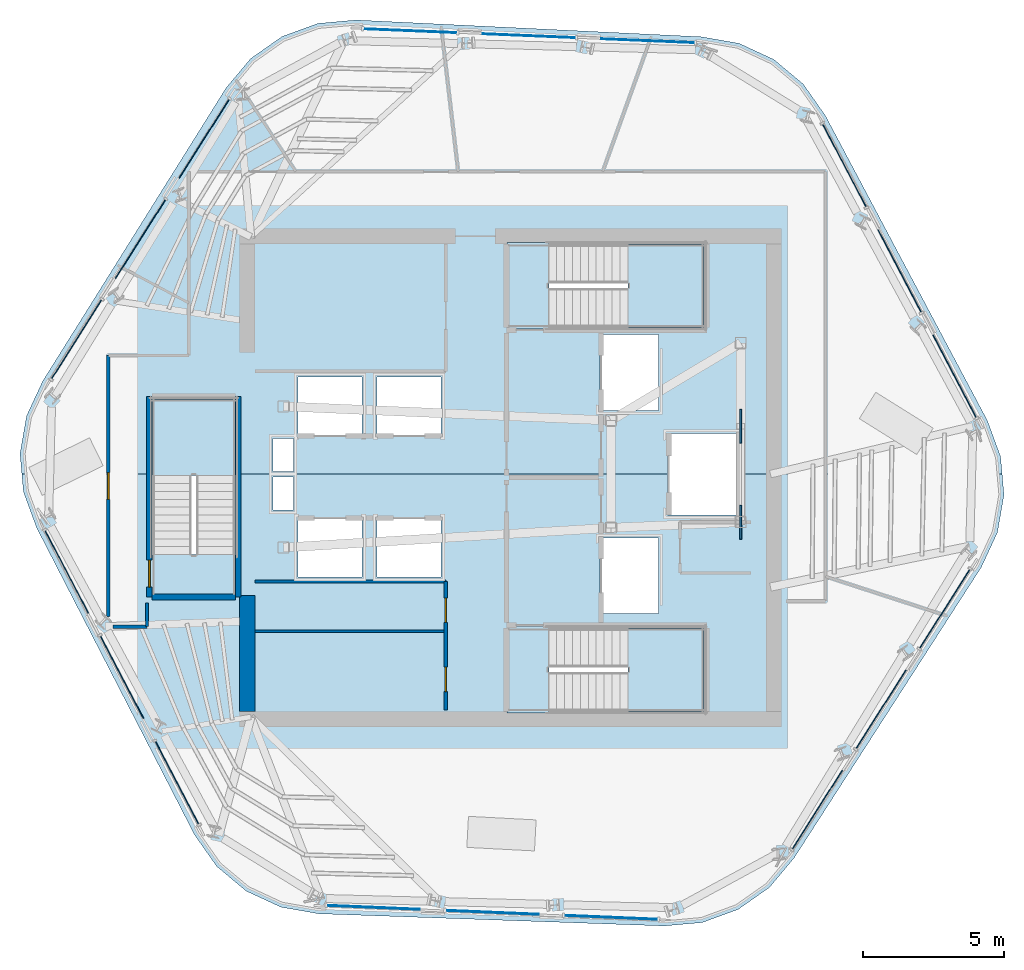
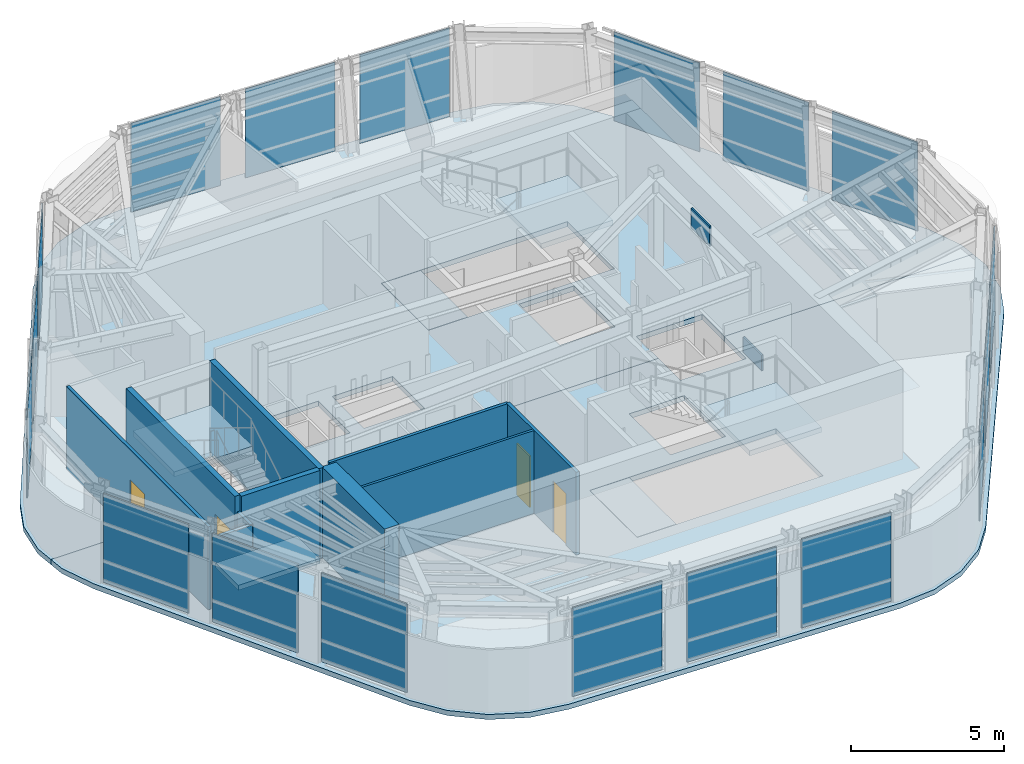
# One storey, part 6 of 13: 20 plates, 10 walls, 8 slabs, 4 doors, 4 openings, 9 elements without a shape of their own.
"""IFC4 building model written with IfcOpenShell, lengths in metres."""

from ifc_helpers import new_model, si_unit, direction, frame, frame_2d, origin, origin_2d, place, context, subcontext, project, spatial, polyline, rectangle, outline, extrude, material, layer, layer_set, type_object, element, fill, aggregate, save


model = new_model("IFC4")

# Units and contexts
model_context = context("Model", 3, precision=1e-05, world=origin(), true_north=direction((0.0, 1.0)))
body_context = subcontext(model_context, "Body", "Model", "MODEL_VIEW")
ifc_project = project(units=[si_unit("LENGTHUNIT", "METRE"), si_unit("AREAUNIT", "SQUARE_METRE"), si_unit("VOLUMEUNIT", "CUBIC_METRE"), si_unit("PLANEANGLEUNIT", "RADIAN"), si_unit("MASSUNIT", "GRAM", prefix="KILO")], contexts=[model_context])

# Site, building, storey
site_placement = place(None, origin())
site = spatial("IfcSite", under=ifc_project, at=site_placement, CompositionType="ELEMENT")
building_placement = place(site_placement, origin())
building = spatial("IfcBuilding", under=site, at=building_placement, Name="Valkerne Bourse Tower", CompositionType="ELEMENT")
storey_placement = place(building_placement, frame((0.0, 0.0, 273.60009765625)))
storey = spatial("IfcBuildingStorey", under=building, at=storey_placement, Name="L69", CompositionType="ELEMENT", Elevation=273.60009765625)

# Curtain wall, plates
ifc_material_1 = material(Name="Aluminium AA 6063-T6", Category="aluminium")
ifc_layer_1 = layer(ifc_material_1, 0.2451171875)
ifc_layer_set_1 = layer_set([ifc_layer_1], Name="Aluminium AA 6063-T6")
curtain_wall_type = type_object("IfcCurtainWallType", Name="CW-05", PredefinedType="NOTDEFINED", material=ifc_layer_set_1)
curtain_wall_1_placement = place(storey_placement, origin())
curtain_wall_1 = element("IfcCurtainWall", 1, at=curtain_wall_1_placement, inside=storey, type_object=curtain_wall_type, Name="L69 Hexagonal Stick Curtain Wall Face 1", PredefinedType="NOTDEFINED")
ifc_material_2 = material(Name="Glass IGU Low-E Double Glazed", Category="glass")
ifc_layer_2 = layer(ifc_material_2, 0.031982421875)
ifc_layer_set_2 = layer_set([ifc_layer_2], Name="Glass IGU Low-E Double Glazed")
plate_type_1 = type_object("IfcPlateType", Name="CW-PNL-IGU-32", PredefinedType="CURTAIN_PANEL", material=ifc_layer_set_2)
plate_1_placement = place(storey_placement, frame((51.658935546875, 42.3486328125, 0.02978515625), z_axis=(0.0, 0.0, 1.0), x_axis=(-0.999122631709, 0.041880386903, 0.0)))
plate_1 = element("IfcPlate", 2, at=plate_1_placement, type_object=plate_type_1, Name="CW-L69-F1 Curtain Panel 00", PredefinedType="CURTAIN_PANEL", context=body_context, shape_type="SweptSolid", body=[
    extrude(rectangle(XDim=3.2919921875, YDim=0.031982421875, at=origin_2d()), origin(), (0.0, 0.0, 1.0), 3.5400390625),
])
plate_2_placement = place(storey_placement, frame((47.45068359375, 42.525146484375, 0.02978515625), z_axis=(0.0, 0.0, 1.0), x_axis=(-0.999122631709, 0.041880386903, 0.0)))
plate_2 = element("IfcPlate", 3, at=plate_2_placement, type_object=plate_type_1, Name="CW-L69-F1 Curtain Panel 01", PredefinedType="CURTAIN_PANEL", context=body_context, shape_type="SweptSolid", body=[
    extrude(rectangle(XDim=3.2919921875, YDim=0.031982421875, at=origin_2d()), origin(), (0.0, 0.0, 1.0), 3.5400390625),
])
plate_3_placement = place(storey_placement, frame((43.242431640625, 42.701416015625, 0.02978515625), z_axis=(0.0, 0.0, 1.0), x_axis=(-0.999122631709, 0.041880386903, 0.0)))
plate_3 = element("IfcPlate", 4, at=plate_3_placement, type_object=plate_type_1, Name="CW-L69-F1 Curtain Panel 02", PredefinedType="CURTAIN_PANEL", context=body_context, shape_type="SweptSolid", body=[
    extrude(rectangle(XDim=3.2919921875, YDim=0.031982421875, at=origin_2d()), origin(), (0.0, 0.0, 1.0), 3.5400390625),
])
aggregate(curtain_wall_1, [plate_1, plate_2, plate_3])

curtain_wall_2_placement = place(storey_placement, origin())
curtain_wall_2 = element("IfcCurtainWall", 5, at=curtain_wall_2_placement, inside=storey, type_object=curtain_wall_type, Name="L69 Hexagonal Stick Curtain Wall Face 2", PredefinedType="NOTDEFINED")
plate_4_placement = place(storey_placement, frame((35.93701171875, 38.88232421875, 0.02978515625), z_axis=(0.0, 0.0, 1.0), x_axis=(-0.535816628188, -0.844334377458, 0.0)))
plate_4 = element("IfcPlate", 6, at=plate_4_placement, type_object=plate_type_1, Name="CW-L69-F2 Curtain Panel 00", PredefinedType="CURTAIN_PANEL", context=body_context, shape_type="SweptSolid", body=[
    extrude(rectangle(XDim=3.2919921875, YDim=0.031982421875, at=origin_2d()), origin(), (0.0, 0.0, 1.0), 3.5400390625),
])
plate_5_placement = place(storey_placement, frame((33.68017578125, 35.326171875, 0.02978515625), z_axis=(0.0, 0.0, 1.0), x_axis=(-0.535827369105, -0.84432756115, 0.0)))
plate_5 = element("IfcPlate", 7, at=plate_5_placement, type_object=plate_type_1, Name="CW-L69-F2 Curtain Panel 01", PredefinedType="CURTAIN_PANEL", context=body_context, shape_type="SweptSolid", body=[
    extrude(rectangle(XDim=3.2919921875, YDim=0.031982421875, at=origin_2d()), origin(), (0.0, 0.0, 1.0), 3.5400390625),
])
plate_6_placement = place(storey_placement, frame((31.42333984375, 31.769775390625, 0.02978515625), z_axis=(0.0, 0.0, 1.0), x_axis=(-0.535827369105, -0.84432756115, 0.0)))
plate_6 = element("IfcPlate", 8, at=plate_6_placement, type_object=plate_type_1, Name="CW-L69-F2 Curtain Panel 02", PredefinedType="CURTAIN_PANEL", context=body_context, shape_type="SweptSolid", body=[
    extrude(rectangle(XDim=3.2919921875, YDim=0.031982421875, at=origin_2d()), origin(), (0.0, 0.0, 1.0), 3.5400390625),
])
aggregate(curtain_wall_2, [plate_4, plate_5, plate_6])

curtain_wall_3_placement = place(storey_placement, origin())
curtain_wall_3 = element("IfcCurtainWall", 9, at=curtain_wall_3_placement, inside=storey, type_object=curtain_wall_type, Name="L69 Hexagonal Stick Curtain Wall Face 3", PredefinedType="NOTDEFINED")
plate_7_placement = place(storey_placement, frame((31.078125, 23.53369140625, 0.02978515625), z_axis=(0.0, 0.0, 1.0), x_axis=(0.463294468527, -0.886204398225, 0.0)))
plate_7 = element("IfcPlate", 10, at=plate_7_placement, type_object=plate_type_1, Name="CW-L69-F3 Curtain Panel 00", PredefinedType="CURTAIN_PANEL", context=body_context, shape_type="SweptSolid", body=[
    extrude(rectangle(XDim=3.2919921875, YDim=0.031982421875, at=origin_2d()), origin(), (0.0, 0.0, 1.0), 3.5400390625),
])
plate_8_placement = place(storey_placement, frame((33.029541015625, 19.801025390625, 0.02978515625), z_axis=(0.0, 0.0, 1.0), x_axis=(0.463294468527, -0.886204398225, 0.0)))
plate_8 = element("IfcPlate", 11, at=plate_8_placement, type_object=plate_type_1, Name="CW-L69-F3 Curtain Panel 01", PredefinedType="CURTAIN_PANEL", context=body_context, shape_type="SweptSolid", body=[
    extrude(rectangle(XDim=3.2919921875, YDim=0.031982421875, at=origin_2d()), origin(), (0.0, 0.0, 1.0), 3.5400390625),
])
plate_9_placement = place(storey_placement, frame((34.98095703125, 16.068115234375, 0.02978515625), z_axis=(0.0, 0.0, 1.0), x_axis=(0.463294468527, -0.886204398225, 0.0)))
plate_9 = element("IfcPlate", 12, at=plate_9_placement, type_object=plate_type_1, Name="CW-L69-F3 Curtain Panel 02", PredefinedType="CURTAIN_PANEL", context=body_context, shape_type="SweptSolid", body=[
    extrude(rectangle(XDim=3.2919921875, YDim=0.031982421875, at=origin_2d()), origin(), (0.0, 0.0, 1.0), 3.5400390625),
])
aggregate(curtain_wall_3, [plate_7, plate_8, plate_9])

curtain_wall_4_placement = place(storey_placement, origin())
curtain_wall_4 = element("IfcCurtainWall", 13, at=curtain_wall_4_placement, inside=storey, type_object=curtain_wall_type, Name="L69 Hexagonal Stick Curtain Wall Face 4", PredefinedType="NOTDEFINED")
plate_10_placement = place(storey_placement, frame((41.94091796875, 11.6513671875, 0.02978515625), z_axis=(0.0, 0.0, 1.0), x_axis=(0.999122631709, -0.041880386903, 0.0)))
plate_10 = element("IfcPlate", 14, at=plate_10_placement, type_object=plate_type_1, Name="CW-L69-F4 Curtain Panel 00", PredefinedType="CURTAIN_PANEL", context=body_context, shape_type="SweptSolid", body=[
    extrude(rectangle(XDim=3.2919921875, YDim=0.031982421875, at=origin_2d()), origin(), (0.0, 0.0, 1.0), 3.5400390625),
])
plate_11_placement = place(storey_placement, frame((46.1494140625, 11.474853515625, 0.02978515625), z_axis=(0.0, 0.0, 1.0), x_axis=(0.999122631709, -0.041880386903, 0.0)))
plate_11 = element("IfcPlate", 15, at=plate_11_placement, type_object=plate_type_1, Name="CW-L69-F4 Curtain Panel 01", PredefinedType="CURTAIN_PANEL", context=body_context, shape_type="SweptSolid", body=[
    extrude(rectangle(XDim=3.2919921875, YDim=0.031982421875, at=origin_2d()), origin(), (0.0, 0.0, 1.0), 3.5400390625),
])
plate_12_placement = place(storey_placement, frame((50.357666015625, 11.298583984375, 0.02978515625), z_axis=(0.0, 0.0, 1.0), x_axis=(0.999122631709, -0.041880386903, 0.0)))
plate_12 = element("IfcPlate", 16, at=plate_12_placement, type_object=plate_type_1, Name="CW-L69-F4 Curtain Panel 02", PredefinedType="CURTAIN_PANEL", context=body_context, shape_type="SweptSolid", body=[
    extrude(rectangle(XDim=3.2919921875, YDim=0.031982421875, at=origin_2d()), origin(), (0.0, 0.0, 1.0), 3.5400390625),
])
aggregate(curtain_wall_4, [plate_10, plate_11, plate_12])

curtain_wall_5_placement = place(storey_placement, origin())
curtain_wall_5 = element("IfcCurtainWall", 17, at=curtain_wall_5_placement, inside=storey, type_object=curtain_wall_type, Name="L69 Hexagonal Stick Curtain Wall Face 5", PredefinedType="NOTDEFINED")
plate_13_placement = place(storey_placement, frame((57.662841796875, 15.11767578125, 0.02978515625), z_axis=(0.0, 0.0, 1.0), x_axis=(0.535816628188, 0.844334377458, 0.0)))
plate_13 = element("IfcPlate", 18, at=plate_13_placement, type_object=plate_type_1, Name="CW-L69-F5 Curtain Panel 00", PredefinedType="CURTAIN_PANEL", context=body_context, shape_type="SweptSolid", body=[
    extrude(rectangle(XDim=3.2919921875, YDim=0.031982421875, at=origin_2d()), origin(), (0.0, 0.0, 1.0), 3.5400390625),
])
plate_14_placement = place(storey_placement, frame((59.919921875, 18.673828125, 0.02978515625), z_axis=(0.0, 0.0, 1.0), x_axis=(0.535827369105, 0.84432756115, 0.0)))
plate_14 = element("IfcPlate", 19, at=plate_14_placement, type_object=plate_type_1, Name="CW-L69-F5 Curtain Panel 01", PredefinedType="CURTAIN_PANEL", context=body_context, shape_type="SweptSolid", body=[
    extrude(rectangle(XDim=3.2919921875, YDim=0.031982421875, at=origin_2d()), origin(), (0.0, 0.0, 1.0), 3.5400390625),
])
plate_15_placement = place(storey_placement, frame((62.1767578125, 22.230224609375, 0.02978515625), z_axis=(0.0, 0.0, 1.0), x_axis=(0.535827369105, 0.84432756115, 0.0)))
plate_15 = element("IfcPlate", 20, at=plate_15_placement, type_object=plate_type_1, Name="CW-L69-F5 Curtain Panel 02", PredefinedType="CURTAIN_PANEL", context=body_context, shape_type="SweptSolid", body=[
    extrude(rectangle(XDim=3.2919921875, YDim=0.031982421875, at=origin_2d()), origin(), (0.0, 0.0, 1.0), 3.5400390625),
])
aggregate(curtain_wall_5, [plate_13, plate_14, plate_15])

curtain_wall_6_placement = place(storey_placement, origin())
curtain_wall_6 = element("IfcCurtainWall", 21, at=curtain_wall_6_placement, inside=storey, type_object=curtain_wall_type, Name="L69 Hexagonal Stick Curtain Wall Face 6", PredefinedType="NOTDEFINED")
plate_16_placement = place(storey_placement, frame((62.52197265625, 30.46630859375, 0.02978515625), z_axis=(0.0, 0.0, 1.0), x_axis=(-0.463294468527, 0.886204398225, 0.0)))
plate_16 = element("IfcPlate", 22, at=plate_16_placement, type_object=plate_type_1, Name="CW-L69-F6 Curtain Panel 00", PredefinedType="CURTAIN_PANEL", context=body_context, shape_type="SweptSolid", body=[
    extrude(rectangle(XDim=3.2919921875, YDim=0.031982421875, at=origin_2d()), origin(), (0.0, 0.0, 1.0), 3.5400390625),
])
plate_17_placement = place(storey_placement, frame((60.570556640625, 34.198974609375, 0.02978515625), z_axis=(0.0, 0.0, 1.0), x_axis=(-0.463294468527, 0.886204398225, 0.0)))
plate_17 = element("IfcPlate", 23, at=plate_17_placement, type_object=plate_type_1, Name="CW-L69-F6 Curtain Panel 01", PredefinedType="CURTAIN_PANEL", context=body_context, shape_type="SweptSolid", body=[
    extrude(rectangle(XDim=3.2919921875, YDim=0.031982421875, at=origin_2d()), origin(), (0.0, 0.0, 1.0), 3.5400390625),
])
plate_18_placement = place(storey_placement, frame((58.619140625, 37.931884765625, 0.02978515625), z_axis=(0.0, 0.0, 1.0), x_axis=(-0.463294468527, 0.886204398225, 0.0)))
plate_18 = element("IfcPlate", 24, at=plate_18_placement, type_object=plate_type_1, Name="CW-L69-F6 Curtain Panel 02", PredefinedType="CURTAIN_PANEL", context=body_context, shape_type="SweptSolid", body=[
    extrude(rectangle(XDim=3.2919921875, YDim=0.031982421875, at=origin_2d()), origin(), (0.0, 0.0, 1.0), 3.5400390625),
])
aggregate(curtain_wall_6, [plate_16, plate_17, plate_18])

# Plates
ifc_material_3 = material(Name="Steel ASTM A572 Grade 50", Category="steel")
ifc_layer_3 = layer(ifc_material_3, 0.06005859375)
ifc_layer_set_3 = layer_set([ifc_layer_3], Name="Steel ASTM A572 Grade 50")
plate_type_2 = type_object("IfcPlateType", Name="PLT-GUS-60", PredefinedType="SHEET", material=ifc_layer_set_3)
for number, where, z_axis, x_axis, name in (
    (25, (54.949951171875, 25.300048828125, -0.18017578125), (0.0, 0.0, 1.0), (0.0, 1.0, 0.0), "L69 Brace Node Gusset Plate PLT-GUS-END-L69-454"),
    (26, (54.949951171875, 28.699951171875, 2.8935546875), (0.0, 0.0, 1.0), (0.0, 1.0, 0.0), "L69 Brace Node Gusset Plate PLT-GUS-END-L69-455"),
):
    element("IfcPlate", number, at=place(storey_placement, frame(where, z_axis=z_axis, x_axis=x_axis)), inside=storey, type_object=plate_type_2, Name=name, PredefinedType="SHEET", context=body_context, shape_type="SweptSolid", body=[
        extrude(rectangle(XDim=1.199951171875, YDim=0.06005859375, at=origin_2d()), origin(), (0.0, 0.0, 1.0), 0.800048828125),
    ])

# Slabs
ifc_material_4 = material(Name="Concrete C40/50", Category="concrete")
ifc_layer_4 = layer(ifc_material_4, 0.25)
ifc_layer_set_4 = layer_set([ifc_layer_4], Name="Concrete C40/50")
slab_type_1 = type_object("IfcSlabType", Name="SLB-RMP-LND-250", PredefinedType="LANDING", material=ifc_layer_set_4)
slab_1_placement = place(storey_placement, frame((0.0, 0.0, -0.2001953125)))
element("IfcSlab", 27, at=slab_1_placement, inside=storey, type_object=slab_type_1, Name="L69 ST-1 Floor Landing Slab", PredefinedType="LANDING", context=body_context, shape_type="SweptSolid", body=[
    extrude(outline(polyline([(46.669921875, 18.5400390625), (48.14990234375, 18.5400390625), (48.14990234375, 21.610107421875), (46.669921875, 21.610107421875), (46.669921875, 18.5400390625)])), origin(), (0.0, 0.0, 1.0), 0.2001953125),
])
slab_2_placement = place(storey_placement, frame((0.0, 0.0, -0.2001953125)))
element("IfcSlab", 28, at=slab_2_placement, inside=storey, type_object=slab_type_1, Name="L69 ST-2 Floor Landing Slab", PredefinedType="LANDING", context=body_context, shape_type="SweptSolid", body=[
    extrude(outline(polyline([(46.669921875, 32.139892578125), (48.14990234375, 32.139892578125), (48.14990234375, 35.2099609375), (46.669921875, 35.2099609375), (46.669921875, 32.139892578125)])), origin(), (0.0, 0.0, 1.0), 0.2001953125),
])
slab_3_placement = place(storey_placement, frame((0.0, 0.0, -0.2001953125)))
element("IfcSlab", 29, at=slab_3_placement, inside=storey, type_object=slab_type_1, Name="L69 ST-3 Floor Landing Slab", PredefinedType="LANDING", context=body_context, shape_type="SweptSolid", body=[
    extrude(outline(polyline([(37.110107421875, 22.669921875), (37.110107421875, 24.14990234375), (34.0400390625, 24.14990234375), (34.0400390625, 22.669921875), (37.110107421875, 22.669921875)])), origin(), (0.0, 0.0, 1.0), 0.2001953125),
])

# Stair, slab
stair_type = type_object("IfcStairType", Name="ST-CORE-1400", PredefinedType="HALF_TURN_STAIR", material=ifc_material_4)
stair_1_placement = place(storey_placement, origin())
stair_1 = element("IfcStair", 30, at=stair_1_placement, inside=storey, type_object=stair_type, Name="L69 ST-1", PredefinedType="HALF_TURN_STAIR")
ifc_layer_5 = layer(ifc_material_4, 0.179931640625)
ifc_layer_set_5 = layer_set([ifc_layer_5], Name="Concrete C40/50")
slab_type_2 = type_object("IfcSlabType", Name="SLB-ST-LND-180", PredefinedType="LANDING", material=ifc_layer_set_5)
slab_4_placement = place(storey_placement, frame((0.0, 0.0, 1.699951171875)))
slab_4 = element("IfcSlab", 31, at=slab_4_placement, type_object=slab_type_2, Name="ST-1 landing 1", PredefinedType="LANDING", context=body_context, shape_type="SweptSolid", body=[
    extrude(outline(polyline([(50.949951171875, 18.60009765625), (53.64990234375, 18.60009765625), (53.64990234375, 21.550048828125), (50.949951171875, 21.550048828125), (50.949951171875, 18.60009765625)])), origin(), (0.0, 0.0, 1.0), 0.199951171875),
])
aggregate(stair_1, [slab_4])

stair_2_placement = place(storey_placement, origin())
stair_2 = element("IfcStair", 32, at=stair_2_placement, inside=storey, type_object=stair_type, Name="L69 ST-2", PredefinedType="HALF_TURN_STAIR")
slab_5_placement = place(storey_placement, frame((0.0, 0.0, 1.699951171875)))
slab_5 = element("IfcSlab", 33, at=slab_5_placement, type_object=slab_type_2, Name="ST-2 landing 1", PredefinedType="LANDING", context=body_context, shape_type="SweptSolid", body=[
    extrude(outline(polyline([(50.949951171875, 32.199951171875), (53.64990234375, 32.199951171875), (53.64990234375, 35.14990234375), (50.949951171875, 35.14990234375), (50.949951171875, 32.199951171875)])), origin(), (0.0, 0.0, 1.0), 0.199951171875),
])
aggregate(stair_2, [slab_5])

stair_3_placement = place(storey_placement, origin())
stair_3 = element("IfcStair", 34, at=stair_3_placement, inside=storey, type_object=stair_type, Name="L69 ST-3", PredefinedType="HALF_TURN_STAIR")
slab_6_placement = place(storey_placement, frame((0.0, 0.0, 1.699951171875)))
slab_6 = element("IfcSlab", 35, at=slab_6_placement, type_object=slab_type_2, Name="ST-3 landing 1", PredefinedType="LANDING", context=body_context, shape_type="SweptSolid", body=[
    extrude(outline(polyline([(37.050048828125, 26.949951171875), (37.050048828125, 29.64990234375), (34.10009765625, 29.64990234375), (34.10009765625, 26.949951171875), (37.050048828125, 26.949951171875)])), origin(), (0.0, 0.0, 1.0), 0.199951171875),
])
aggregate(stair_3, [slab_6])

# Slabs
ifc_layer_6 = layer(ifc_material_4, 0.199951171875)
ifc_layer_set_6 = layer_set([ifc_layer_6], Name="Concrete C40/50")
slab_type_3 = type_object("IfcSlabType", Name="SLB-TOW-200", PredefinedType="FLOOR", material=ifc_layer_set_6)
slab_7_placement = place(storey_placement, frame((0.0, 0.0, -0.2001953125)))
element("IfcSlab", 36, at=slab_7_placement, inside=storey, type_object=slab_type_3, Name="L69 Hexagonal Composite Floor Slab S", PredefinedType="FLOOR", context=body_context, shape_type="SweptSolid", body=[
    extrude(outline(polyline([(64.2734375, 26.267578125), (64.0400390625, 24.930419921875), (63.468505859375, 23.69921875), (56.8408203125, 13.406005859375), (55.969970703125, 12.364501953125), (54.859375, 11.583984375), (53.58447265625, 11.117431640625), (52.232421875, 10.996826171875), (39.99755859375, 11.4287109375), (38.660400390625, 11.662109375), (37.428955078125, 12.233642578125), (36.3876953125, 13.1044921875), (35.60693359375, 14.215087890625), (30.0068359375, 25.1015625), (29.540283203125, 26.37646484375), (29.484619140625, 27.0), (34.034912109375, 27.0), (34.034912109375, 22.6650390625), (37.114990234375, 22.6650390625), (37.114990234375, 27.0), (52.360107421875, 27.0), (52.360107421875, 25.56005859375), (54.840087890625, 25.56005859375), (54.840087890625, 27.0), (64.2080078125, 27.0), (64.2734375, 26.267578125)]), holes=[polyline([(39.260009765625, 25.43994140625), (39.260009765625, 23.360107421875), (41.5400390625, 23.360107421875), (41.5400390625, 25.43994140625), (39.260009765625, 25.43994140625)]), polyline([(44.340087890625, 25.43994140625), (42.06005859375, 25.43994140625), (42.06005859375, 23.360107421875), (44.340087890625, 23.360107421875), (44.340087890625, 25.43994140625)]), polyline([(38.3798828125, 26.89990234375), (38.3798828125, 25.72998046875), (39.10009765625, 25.72998046875), (39.10009765625, 26.89990234375), (38.3798828125, 26.89990234375)]), polyline([(46.6650390625, 21.614990234375), (46.6650390625, 18.534912109375), (53.675048828125, 18.534912109375), (53.675048828125, 21.614990234375), (46.6650390625, 21.614990234375)]), polyline([(52.0400390625, 24.739990234375), (49.9599609375, 24.739990234375), (49.9599609375, 22.06005859375), (52.0400390625, 22.06005859375), (52.0400390625, 24.739990234375)])]), origin(), (0.0, 0.0, 1.0), 0.2001953125),
])
slab_8_placement = place(storey_placement, frame((0.0, 0.0, -0.2001953125)))
element("IfcSlab", 37, at=slab_8_placement, inside=storey, type_object=slab_type_3, Name="L69 Hexagonal Composite Floor Slab N", PredefinedType="FLOOR", context=body_context, shape_type="SweptSolid", body=[
    extrude(outline(polyline([(64.15283203125, 27.61962890625), (64.2080078125, 27.0), (54.840087890625, 27.0), (54.840087890625, 28.43994140625), (52.360107421875, 28.43994140625), (52.360107421875, 27.0), (37.114990234375, 27.0), (37.114990234375, 29.675048828125), (34.034912109375, 29.675048828125), (34.034912109375, 27.0), (29.484619140625, 27.0), (29.419677734375, 27.728515625), (29.653076171875, 29.065673828125), (30.224609375, 30.297119140625), (36.716064453125, 40.6767578125), (37.5869140625, 41.718017578125), (38.697509765625, 42.498779296875), (39.972412109375, 42.965087890625), (41.324462890625, 43.0859375), (53.552490234375, 42.492431640625), (54.8896484375, 42.259033203125), (56.12109375, 41.6875), (57.162353515625, 40.81689453125), (57.943115234375, 39.706298828125), (63.686279296875, 28.89453125), (64.15283203125, 27.61962890625)]), holes=[polyline([(39.10009765625, 28.27001953125), (38.3798828125, 28.27001953125), (38.3798828125, 27.10009765625), (39.10009765625, 27.10009765625), (39.10009765625, 28.27001953125)]), polyline([(41.5400390625, 30.43994140625), (39.260009765625, 30.43994140625), (39.260009765625, 28.360107421875), (41.5400390625, 28.360107421875), (41.5400390625, 30.43994140625)]), polyline([(42.06005859375, 30.43994140625), (42.06005859375, 28.360107421875), (44.340087890625, 28.360107421875), (44.340087890625, 30.43994140625), (42.06005859375, 30.43994140625)]), polyline([(52.0400390625, 31.93994140625), (49.9599609375, 31.93994140625), (49.9599609375, 29.260009765625), (52.0400390625, 29.260009765625), (52.0400390625, 31.93994140625)]), polyline([(53.675048828125, 35.215087890625), (46.6650390625, 35.215087890625), (46.6650390625, 32.135009765625), (53.675048828125, 32.135009765625), (53.675048828125, 35.215087890625)])]), origin(), (0.0, 0.0, 1.0), 0.2001953125),
])

# Wall
ifc_material_5 = material(Name="Concrete C55/67", Category="concrete")
ifc_layer_7 = layer(ifc_material_5, 0.550048828125)
ifc_layer_set_7 = layer_set([ifc_layer_7], Name="Concrete C55/67")
wall_type_1 = type_object("IfcWallType", Name="W-CORE-550", PredefinedType="SHEAR", material=ifc_layer_set_7)
wall_1_placement = place(storey_placement, frame((37.47509765625, 18.60009765625, 0.0), z_axis=(0.0, 0.0, 1.0), x_axis=(0.0, 1.0, 0.0)))
element("IfcWall", 38, at=wall_1_placement, inside=storey, type_object=wall_type_1, Name="L69 Core Shear Wall WEST-S", PredefinedType="SHEAR", context=body_context, shape_type="SweptSolid", body=[
    extrude(rectangle(XDim=4.099853515625, YDim=0.550048828125, at=frame_2d((2.0498046875, 0.0))), origin(), (0.0, 0.0, 1.0), 3.599853515625),
])

# Wall, openings, doors
ifc_material_6 = material(Name="Gypsum Board Steel-Stud Partition", Category="steel")
ifc_layer_8 = layer(ifc_material_6, 0.117919921875)
ifc_layer_set_8 = layer_set([ifc_layer_8], Name="Gypsum Board Steel-Stud Partition")
wall_type_2 = type_object("IfcWallType", Name="W-CORR-140", PredefinedType="PARTITIONING", material=ifc_layer_set_8)
wall_2_placement = place(storey_placement, frame((44.5, 18.64990234375, 0.0), z_axis=(0.0, 0.0, 1.0), x_axis=(0.0, 1.0, 0.0)))
wall_2 = element("IfcWall", 39, at=wall_2_placement, inside=storey, type_object=wall_type_2, Name="L69 LV7 Low-Bank East Wall", PredefinedType="PARTITIONING", context=body_context, shape_type="SweptSolid", body=[
    extrude(rectangle(XDim=4.550048828125, YDim=0.117919921875, at=frame_2d((2.27490234375, 0.0))), origin(), (0.0, 0.0, 1.0), 3.2998046875),
])
opening_1_placement = place(wall_2_placement, frame((0.64990234375, 0.0, 0.0)))
opening_1 = element("IfcOpeningElement", 40, at=opening_1_placement, cuts=wall_2, Name="Opening D-WC-900", PredefinedType="OPENING", context=body_context, shape_type="SweptSolid", body=[
    extrude(rectangle(XDim=0.860107421875, YDim=2.050048828125, at=frame_2d((0.43017578125, 1.02490234375))), frame((0.0, 0.06884765625, 0.0), z_axis=(0.0, -1.0, 0.0), x_axis=(1.0, 0.0, 0.0)), (0.0, 0.0, 1.0), 0.137939453125),
])
opening_2_placement = place(wall_2_placement, frame((3.10009765625, 0.0, 0.0)))
opening_2 = element("IfcOpeningElement", 41, at=opening_2_placement, cuts=wall_2, Name="Opening D-WC-900", PredefinedType="OPENING", context=body_context, shape_type="SweptSolid", body=[
    extrude(rectangle(XDim=0.860107421875, YDim=2.050048828125, at=frame_2d((0.43017578125, 1.02490234375))), frame((0.0, 0.06884765625, 0.0), z_axis=(0.0, -1.0, 0.0), x_axis=(1.0, 0.0, 0.0)), (0.0, 0.0, 1.0), 0.137939453125),
])
ifc_material_7 = material(Name="Architectural White Oak Timber", Category="wood")
door_type_1 = type_object("IfcDoorType", Name="DR-WC-900", OperationType="NOTDEFINED", PredefinedType="DOOR", material=ifc_material_7)
door_1_placement = place(opening_1_placement, origin())
door_1 = element("IfcDoor", 42, at=door_1_placement, inside=storey, type_object=door_type_1, Name="L69 Reprographics Office Door", OperationType="SINGLE_SWING_RIGHT", OverallHeight=2.050048828125, OverallWidth=0.860107421875, PredefinedType="DOOR", context=body_context, shape_type="SweptSolid", body=[
    extrude(rectangle(XDim=0.860107421875, YDim=2.050048828125, at=frame_2d((0.43017578125, 1.02490234375))), frame((0.0, 0.02490234375, 0.0), z_axis=(0.0, -1.0, 0.0), x_axis=(1.0, 0.0, 0.0)), (0.0, 0.0, 1.0), 0.050048828125),
])
fill(opening_1, door_1)
door_2_placement = place(opening_2_placement, origin())
door_2 = element("IfcDoor", 43, at=door_2_placement, inside=storey, type_object=door_type_1, Name="L69 First Aid Clinic Door", OperationType="SINGLE_SWING_RIGHT", OverallHeight=2.050048828125, OverallWidth=0.860107421875, PredefinedType="DOOR", context=body_context, shape_type="SweptSolid", body=[
    extrude(rectangle(XDim=0.860107421875, YDim=2.050048828125, at=frame_2d((0.43017578125, 1.02490234375))), frame((0.0, 0.02490234375, 0.0), z_axis=(0.0, -1.0, 0.0), x_axis=(1.0, 0.0, 0.0)), (0.0, 0.0, 1.0), 0.050048828125),
])
fill(opening_2, door_2)

# Walls
wall_3_placement = place(storey_placement, frame((37.75, 23.199951171875, 0.0), z_axis=(0.0, 0.0, 1.0), x_axis=(1.0, 0.0, 0.0)))
element("IfcWall", 44, at=wall_3_placement, inside=storey, type_object=wall_type_2, Name="L69 LV7 Low-Bank North Wall", PredefinedType="PARTITIONING", context=body_context, shape_type="SweptSolid", body=[
    extrude(rectangle(XDim=6.75, YDim=0.117919921875, at=frame_2d((3.375, 0.0))), origin(), (0.0, 0.0, 1.0), 3.2998046875),
])
wall_4_placement = place(storey_placement, frame((33.91796875, 22.43994140625, 0.0), z_axis=(0.0, 0.0, 1.0), x_axis=(0.002325575107, -0.999997295847, 0.0)))
element("IfcWall", 45, at=wall_4_placement, inside=storey, type_object=wall_type_2, Name="L69 Corridor Enclosure Wall", PredefinedType="PARTITIONING", context=body_context, shape_type="SweptSolid", body=[
    extrude(rectangle(XDim=0.83984375, YDim=0.117919921875, at=frame_2d((0.419921875, 0.0))), origin(), (0.0, 0.0, 1.0), 3.12744140625),
])
wall_5_placement = place(storey_placement, frame((33.919921875, 21.60009765625, 0.0), z_axis=(0.0, 0.0, 1.0), x_axis=(-1.0, 0.0, 0.0)))
element("IfcWall", 46, at=wall_5_placement, inside=storey, type_object=wall_type_2, Name="L69 Corridor Enclosure Wall", PredefinedType="PARTITIONING", context=body_context, shape_type="SweptSolid", body=[
    extrude(rectangle(XDim=1.211181640625, YDim=0.117919921875, at=frame_2d((0.60546875, 0.0))), origin(), (0.0, 0.0, 1.0), 3.12744140625),
])

# Wall, opening, door
wall_6_placement = place(storey_placement, frame((32.550048828125, 21.956787109375, 0.0), z_axis=(0.0, 0.0, 1.0), x_axis=(0.0, 1.0, 0.0)))
wall_6 = element("IfcWall", 47, at=wall_6_placement, inside=storey, type_object=wall_type_2, Name="L69 Corridor Enclosure Wall", PredefinedType="PARTITIONING", context=body_context, shape_type="SweptSolid", body=[
    extrude(rectangle(XDim=9.2431640625, YDim=0.117919921875, at=frame_2d((4.62158203125, 0.0))), origin(), (0.0, 0.0, 1.0), 3.2998046875),
])
opening_3_placement = place(wall_6_placement, frame((4.146484375, 0.0, 0.0)))
opening_3 = element("IfcOpeningElement", 48, at=opening_3_placement, cuts=wall_6, Name="Opening D-OF-950", PredefinedType="OPENING", context=body_context, shape_type="SweptSolid", body=[
    extrude(rectangle(XDim=0.949951171875, YDim=2.10009765625, at=frame_2d((0.47509765625, 1.050048828125))), frame((0.0, 0.06884765625, 0.0), z_axis=(0.0, -1.0, 0.0), x_axis=(1.0, 0.0, 0.0)), (0.0, 0.0, 1.0), 0.137939453125),
])
door_type_2 = type_object("IfcDoorType", Name="DR-OFF-950", OperationType="NOTDEFINED", PredefinedType="DOOR", material=ifc_material_7)
door_3_placement = place(opening_3_placement, origin())
door_3 = element("IfcDoor", 49, at=door_3_placement, inside=storey, type_object=door_type_2, Name="L69 L69 Member Collaboration Club Salon 5 Door", OperationType="SINGLE_SWING_LEFT", OverallHeight=2.10009765625, OverallWidth=0.949951171875, PredefinedType="DOOR", context=body_context, shape_type="SweptSolid", body=[
    extrude(rectangle(XDim=0.949951171875, YDim=2.10009765625, at=frame_2d((0.47509765625, 1.050048828125))), frame((0.0, 0.02490234375, 0.0), z_axis=(0.0, -1.0, 0.0), x_axis=(1.0, 0.0, 0.0)), (0.0, 0.0, 1.0), 0.050048828125),
])
fill(opening_3, door_3)

# Wall
ifc_layer_9 = layer(ifc_material_6, 0.092041015625)
ifc_layer_set_9 = layer_set([ifc_layer_9], Name="Gypsum Board Steel-Stud Partition")
wall_type_3 = type_object("IfcWallType", Name="W-PART-115", PredefinedType="PARTITIONING", material=ifc_layer_set_9)
wall_7_placement = place(storey_placement, frame((37.75, 21.43994140625, 0.0), z_axis=(0.0, 0.0, 1.0), x_axis=(1.0, 0.0, 0.0)))
element("IfcWall", 50, at=wall_7_placement, inside=storey, type_object=wall_type_3, Name="L69 LV7 Low-Bank Sub-Divider", PredefinedType="PARTITIONING", context=body_context, shape_type="SweptSolid", body=[
    extrude(rectangle(XDim=6.75, YDim=0.092041015625, at=frame_2d((3.375, 0.0))), origin(), (0.0, 0.0, 1.0), 3.2998046875),
])

# Wall, opening, door
ifc_layer_10 = layer(ifc_material_4, 0.199951171875)
ifc_layer_set_10 = layer_set([ifc_layer_10], Name="Concrete C40/50")
wall_type_4 = type_object("IfcWallType", Name="W-SHF-200", PredefinedType="SHEAR", material=ifc_layer_set_10)
wall_8_placement = place(storey_placement, frame((34.0, 22.64990234375, 0.0), z_axis=(0.0, 0.0, 1.0), x_axis=(0.0, 1.0, 0.0)))
wall_8 = element("IfcWall", 51, at=wall_8_placement, inside=storey, type_object=wall_type_4, Name="L69 Exit Stair ST-3 Structural Shaft Wall West", PredefinedType="SHEAR", context=body_context, shape_type="SweptSolid", body=[
    extrude(rectangle(XDim=7.10009765625, YDim=0.199951171875, at=frame_2d((3.550048828125, 0.0))), origin(), (0.0, 0.0, 1.0), 3.599853515625),
])
opening_4_placement = place(wall_8_placement, frame((0.35009765625, 0.0, 0.0)))
opening_4 = element("IfcOpeningElement", 52, at=opening_4_placement, cuts=wall_8, Name="Opening D-ST-950", PredefinedType="OPENING", context=body_context, shape_type="SweptSolid", body=[
    extrude(rectangle(XDim=0.949951171875, YDim=2.10009765625, at=frame_2d((0.47509765625, 1.050048828125))), frame((0.0, 0.10986328125, 0.0), z_axis=(0.0, -1.0, 0.0), x_axis=(1.0, 0.0, 0.0)), (0.0, 0.0, 1.0), 0.219970703125),
])
ifc_material_8 = material(Name="Galvanised Painted Steel", Category="steel")
door_type_3 = type_object("IfcDoorType", Name="DR-STAIR-950", OperationType="NOTDEFINED", PredefinedType="DOOR", material=ifc_material_8)
door_4_placement = place(opening_4_placement, origin())
door_4 = element("IfcDoor", 53, at=door_4_placement, inside=storey, type_object=door_type_3, Name="L69 Exit Stair ST-3 Door", OperationType="SINGLE_SWING_RIGHT", OverallHeight=2.10009765625, OverallWidth=0.949951171875, PredefinedType="DOOR", context=body_context, shape_type="SweptSolid", body=[
    extrude(rectangle(XDim=0.949951171875, YDim=2.10009765625, at=frame_2d((0.47509765625, 1.050048828125))), frame((0.0, 0.02490234375, 0.0), z_axis=(0.0, -1.0, 0.0), x_axis=(1.0, 0.0, 0.0)), (0.0, 0.0, 1.0), 0.050048828125),
])
fill(opening_4, door_4)

# Walls
wall_9_placement = place(storey_placement, frame((34.10009765625, 22.64990234375, 0.0), z_axis=(0.0, 0.0, 1.0), x_axis=(1.0, 0.0, 0.0)))
element("IfcWall", 54, at=wall_9_placement, inside=storey, type_object=wall_type_4, Name="L69 Exit Stair ST-3 Structural Shaft Wall South", PredefinedType="SHEAR", context=body_context, shape_type="SweptSolid", body=[
    extrude(rectangle(XDim=2.949951171875, YDim=0.199951171875, at=frame_2d((1.47509765625, 0.0))), origin(), (0.0, 0.0, 1.0), 3.599853515625),
])
wall_10_placement = place(storey_placement, frame((37.14990234375, 22.64990234375, 0.0), z_axis=(0.0, 0.0, 1.0), x_axis=(0.0, 1.0, 0.0)))
element("IfcWall", 55, at=wall_10_placement, inside=storey, type_object=wall_type_4, Name="L69 Exit Stair ST-3 Structural Shaft Wall East", PredefinedType="SHEAR", context=body_context, shape_type="SweptSolid", body=[
    extrude(rectangle(XDim=7.10009765625, YDim=0.199951171875, at=frame_2d((3.550048828125, 0.0))), origin(), (0.0, 0.0, 1.0), 3.599853515625),
])

save(model, "model.ifc")
